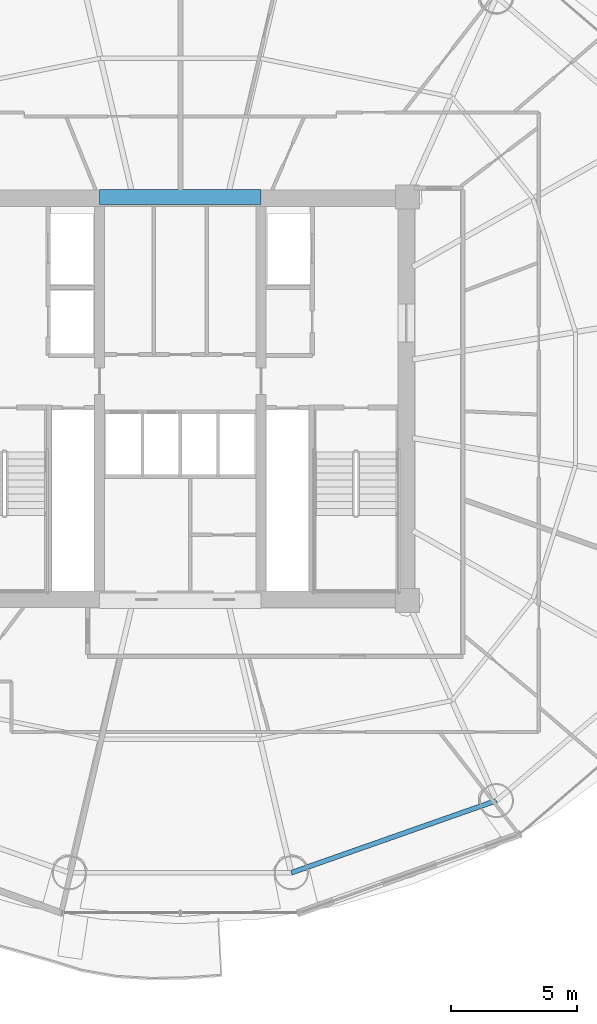
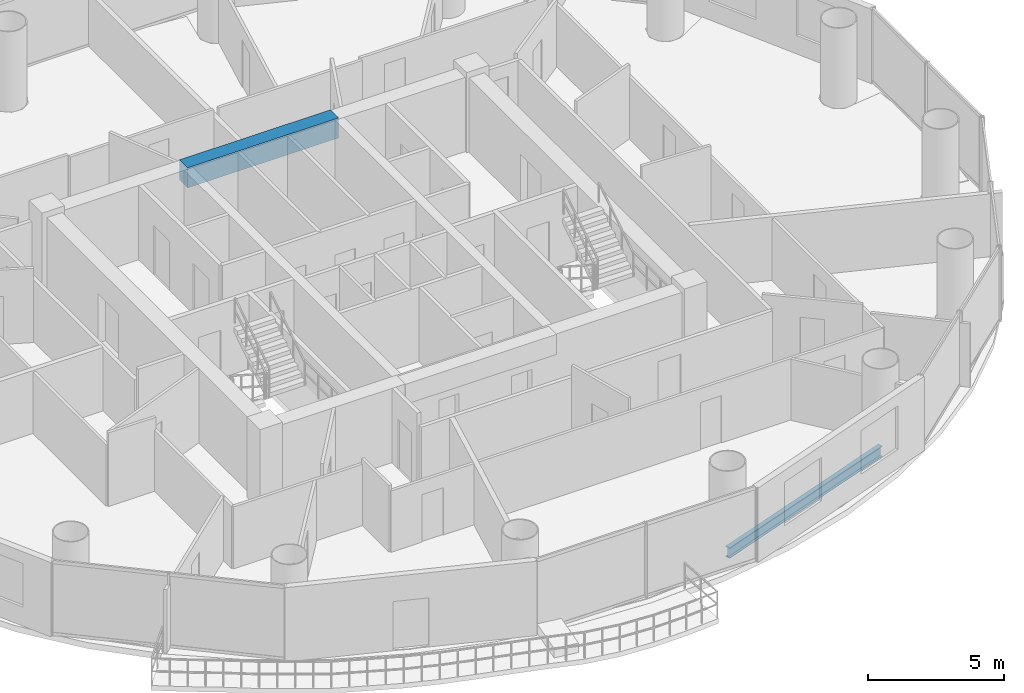
# One storey, part 9 of 26: 2 beams.
"""IFC4 building model written with IfcOpenShell, lengths in metres."""

from ifc_helpers import new_model, si_unit, direction, frame, origin, origin_2d, place, context, subcontext, project, spatial, rectangle, i_section, extrude, material, material_profile, profile_set, type_object, element, save


model = new_model("IFC4")

# Units and contexts
model_context = context("Model", 3, precision=1e-05, world=origin(), true_north=direction((-0.2419218956, 0.970295726276)))
body_context = subcontext(model_context, "Body", "Model", "MODEL_VIEW")
ifc_project = project(units=[si_unit("LENGTHUNIT", "METRE"), si_unit("AREAUNIT", "SQUARE_METRE"), si_unit("VOLUMEUNIT", "CUBIC_METRE"), si_unit("PLANEANGLEUNIT", "RADIAN"), si_unit("MASSUNIT", "GRAM", prefix="KILO")], contexts=[model_context])

# Site, building, storey
site_placement = place(None, origin())
site = spatial("IfcSite", under=ifc_project, at=site_placement, CompositionType="ELEMENT")
building_placement = place(site_placement, origin())
building = spatial("IfcBuilding", under=site, at=building_placement, Name="Cobrevalo Terracotta Tower", CompositionType="ELEMENT")
storey_placement = place(building_placement, frame((0.0, 0.0, 178.60009765625)))
storey = spatial("IfcBuildingStorey", under=building, at=storey_placement, Name="L47", CompositionType="ELEMENT", Elevation=178.60009765625)

# Beams
ifc_material_1 = material(Name="Concrete C60", Category="concrete")
ifc_material_profile_1 = material_profile(ifc_material_1, rectangle(XDim=0.60009765625, YDim=0.89990234375, at=origin_2d()), Name="RC CB 600x900")
ifc_profile_set_1 = profile_set([ifc_material_profile_1], Name="Concrete C60")
beam_type_1 = type_object("IfcBeamType", Name="Structural Beam RC CB 600x900 (Concrete C60)", PredefinedType="BEAM", material=ifc_profile_set_1)
beam_1_placement = place(storey_placement, frame((34.800048828125, 34.800048828125, 2.8798828125), z_axis=(1.0, 0.0, 0.0), x_axis=(0.0, 1.0, 0.0)))
element("IfcBeam", 1, at=beam_1_placement, inside=storey, type_object=beam_type_1, Name="L47 core coupling beam 2", PredefinedType="BEAM", context=body_context, shape_type="SweptSolid", body=[
    extrude(rectangle(XDim=0.60009765625, YDim=0.89990234375, at=origin_2d()), origin(), (0.0, 0.0, 1.0), 6.39990234375),
])
ifc_material_2 = material(Name="Steel S355", Category="steel")
ifc_material_profile_2 = material_profile(ifc_material_2, i_section(OverallWidth=0.194091796875, OverallDepth=0.468994140625, WebThickness=0.011474609375, FlangeThickness=0.0205078125, at=origin_2d()), Name="W 460x106")
ifc_profile_set_2 = profile_set([ifc_material_profile_2], Name="Steel S355")
beam_type_2 = type_object("IfcBeamType", Name="Structural Spandrel W 460x106 (Steel S355)", PredefinedType="SPANDREL", material=ifc_profile_set_2)
beam_2_placement = place(storey_placement, frame((42.399169921875, 8.01806640625, -0.504638671875), z_axis=(0.943341298492, 0.331824041565, 0.0), x_axis=(-0.331824041565, 0.943341298492, 0.0)))
element("IfcBeam", 2, at=beam_2_placement, inside=storey, type_object=beam_type_2, Name="L47 perimeter ring spandrel 13", PredefinedType="SPANDREL", context=body_context, shape_type="SweptSolid", body=[
    extrude(i_section(OverallWidth=0.194091796875, OverallDepth=0.468994140625, WebThickness=0.011474609375, FlangeThickness=0.0205078125, at=origin_2d()), origin(), (0.0, 0.0, 1.0), 8.6171875),
])

save(model, "model.ifc")
